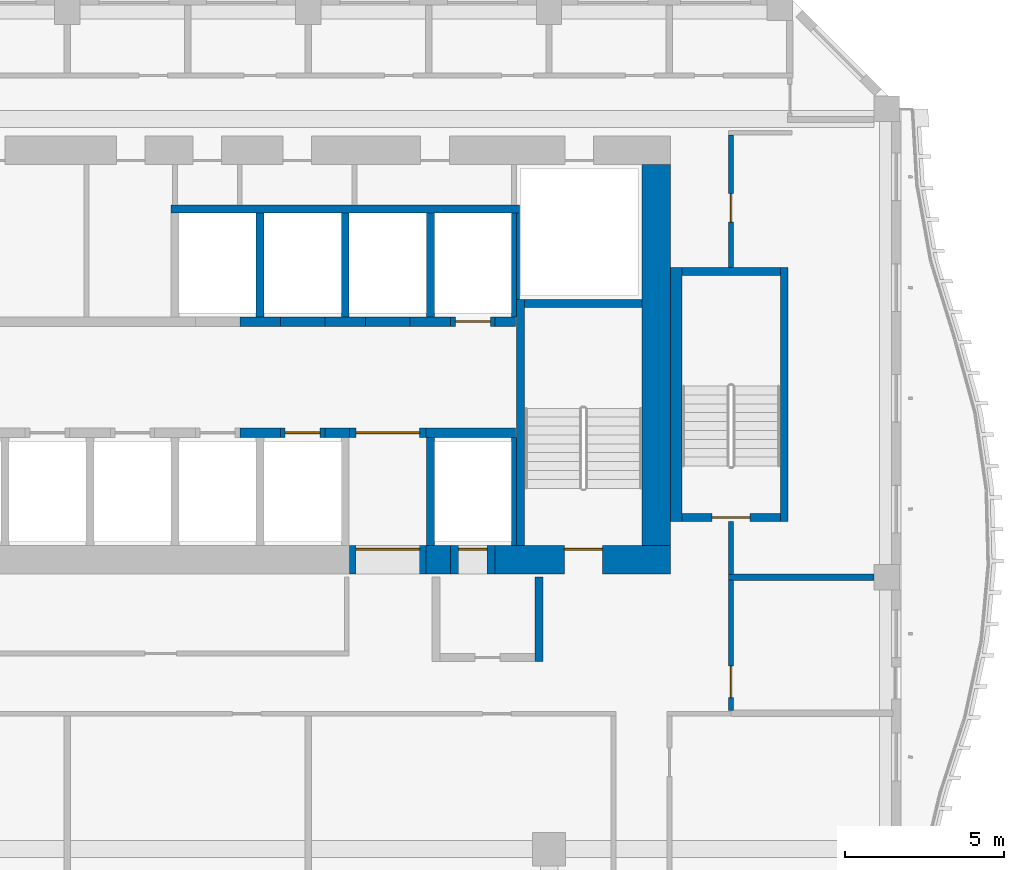
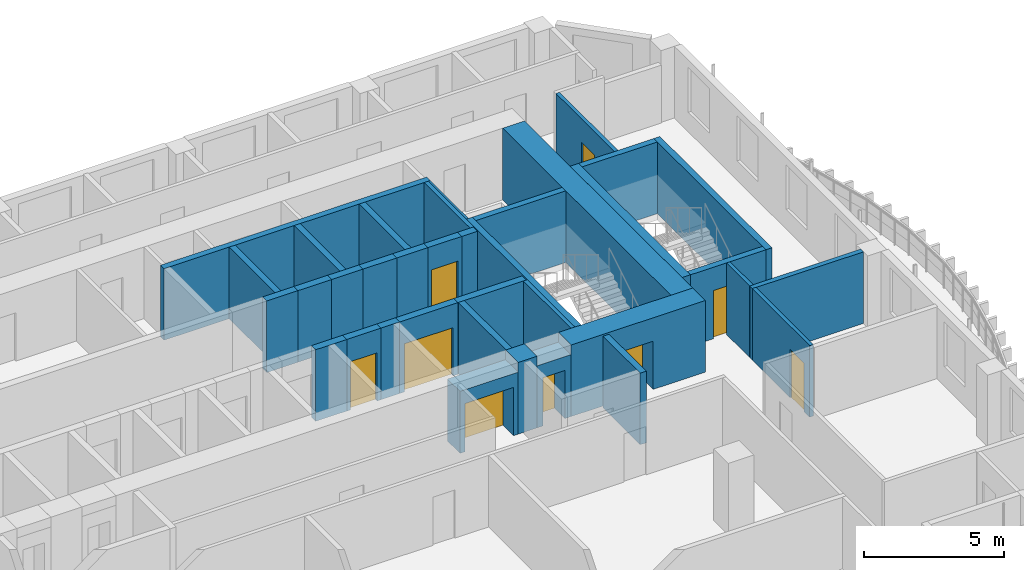
# One storey, part 10 of 22: 36 walls, 9 doors, 9 openings.
"""IFC4 building model written with IfcOpenShell, lengths in metres."""

from ifc_helpers import new_model, si_unit, direction, frame, frame_2d, origin, place, context, subcontext, project, spatial, rectangle, extrude, source, transform, mapped, material, layer, layer_set, type_object, element, fill, save


model = new_model("IFC4")

# Units and contexts
model_context = context("Model", 3, precision=1e-05, world=origin(), true_north=direction((0.0, 1.0)))
body_context = subcontext(model_context, "Body", "Model", "MODEL_VIEW")
ifc_project = project(units=[si_unit("LENGTHUNIT", "METRE"), si_unit("AREAUNIT", "SQUARE_METRE"), si_unit("VOLUMEUNIT", "CUBIC_METRE"), si_unit("PLANEANGLEUNIT", "RADIAN"), si_unit("MASSUNIT", "GRAM", prefix="KILO")], contexts=[model_context])

# Site, building, storey
site_placement = place(None, origin())
site = spatial("IfcSite", under=ifc_project, at=site_placement, CompositionType="ELEMENT")
building_placement = place(site_placement, origin())
building = spatial("IfcBuilding", under=site, at=building_placement, Name="Kilnfold Tower and Market Hall", CompositionType="ELEMENT")
storey_placement = place(building_placement, frame((0.0, 0.0, 171.89990234375)))
storey = spatial("IfcBuildingStorey", under=building, at=storey_placement, Name="L40", CompositionType="ELEMENT", Elevation=171.89990234375)

# Wall, opening, door
ifc_material_1 = material(Name="Gypsum board on steel studs", Category="steel")
ifc_layer_1 = layer(ifc_material_1, 0.14990234375)
ifc_layer_set_1 = layer_set([ifc_layer_1], Name="Gypsum board on steel studs")
wall_type_1 = type_object("IfcWallType", Name="WALL CORRIDOR 150", PredefinedType="PARTITIONING", material=ifc_layer_set_1)
wall_1_placement = place(storey_placement, frame((19.89990234375, 3.80908203125, 0.0), z_axis=(0.0, 0.0, 1.0), x_axis=(0.0, 1.0, 0.0)))
wall_1 = element("IfcWall", 1, at=wall_1_placement, inside=storey, type_object=wall_type_1, Name="Partition LY26.29", PredefinedType="PARTITIONING", context=body_context, shape_type="SweptSolid", body=[
    extrude(rectangle(XDim=4.100830078125, YDim=0.14990234375, at=frame_2d((2.05029296875, 0.0))), origin(), (0.0, 0.0, 1.0), 3.1201171875),
])
opening_1_placement = place(wall_1_placement, frame((0.39990234375, 0.0, 0.0)))
opening_1 = element("IfcOpeningElement", 2, at=opening_1_placement, cuts=wall_1, Name="Opening D4", PredefinedType="OPENING", context=body_context, shape_type="SweptSolid", body=[
    extrude(rectangle(XDim=1.0, YDim=2.10009765625, at=frame_2d((0.5, 1.050048828125))), frame((0.0, 0.0849609375, 0.0), z_axis=(0.0, -1.0, 0.0), x_axis=(1.0, 0.0, 0.0)), (0.0, 0.0, 1.0), 0.169921875),
])
ifc_material_2 = material(Name="Timber veneer door leaf in steel frame", Category="steel")
door_type_1 = type_object("IfcDoorType", Name="DOOR SERVICE 1000 X2100", OperationType="NOTDEFINED", PredefinedType="DOOR", material=ifc_material_2)
door_1_placement = place(opening_1_placement, origin())
door_1 = element("IfcDoor", 3, at=door_1_placement, inside=storey, type_object=door_type_1, Name="Door D4", OperationType="SINGLE_SWING_LEFT", OverallHeight=2.10009765625, OverallWidth=1.0, PredefinedType="DOOR", context=body_context, shape_type="SweptSolid", body=[
    extrude(rectangle(XDim=1.0, YDim=2.10009765625, at=frame_2d((0.5, 1.050048828125))), frame((0.0, 0.02490234375, 0.0), z_axis=(0.0, -1.0, 0.0), x_axis=(1.0, 0.0, 0.0)), (0.0, 0.0, 1.0), 0.050048828125),
])
fill(opening_1, door_1)

wall_2_placement = place(storey_placement, frame((19.89990234375, 17.75, 0.0), z_axis=(0.0, 0.0, 1.0), x_axis=(0.0, 1.0, 0.0)))
wall_2 = element("IfcWall", 4, at=wall_2_placement, inside=storey, type_object=wall_type_1, Name="Partition LY26.31", PredefinedType="PARTITIONING", context=body_context, shape_type="SweptSolid", body=[
    extrude(rectangle(XDim=4.175048828125, YDim=0.14990234375, at=frame_2d((2.08740234375, 0.0))), origin(), (0.0, 0.0, 1.0), 3.1201171875),
])
opening_2_placement = place(wall_2_placement, frame((1.431884765625, 0.0, 0.0)))
opening_2 = element("IfcOpeningElement", 5, at=opening_2_placement, cuts=wall_2, Name="Opening D2", PredefinedType="OPENING", context=body_context, shape_type="SweptSolid", body=[
    extrude(rectangle(XDim=0.89990234375, YDim=2.10009765625, at=frame_2d((0.449951171875, 1.050048828125))), frame((0.0, 0.0849609375, 0.0), z_axis=(0.0, -1.0, 0.0), x_axis=(1.0, 0.0, 0.0)), (0.0, 0.0, 1.0), 0.169921875),
])
ifc_material_3 = material(Name="Timber veneer door leaf in steel frame", Category="steel")
door_type_2 = type_object("IfcDoorType", Name="DOOR ROOM 900 X2100", OperationType="NOTDEFINED", PredefinedType="DOOR", material=ifc_material_3)
door_2_placement = place(opening_2_placement, origin())
door_2 = element("IfcDoor", 6, at=door_2_placement, inside=storey, type_object=door_type_2, Name="Door D2", OperationType="SINGLE_SWING_LEFT", OverallHeight=2.10009765625, OverallWidth=0.89990234375, PredefinedType="DOOR", context=body_context, shape_type="SweptSolid", body=[
    extrude(rectangle(XDim=0.89990234375, YDim=2.10009765625, at=frame_2d((0.449951171875, 1.050048828125))), frame((0.0, 0.02490234375, 0.0), z_axis=(0.0, -1.0, 0.0), x_axis=(1.0, 0.0, 0.0)), (0.0, 0.0, 1.0), 0.050048828125),
])
fill(opening_2, door_2)

# Walls
wall_3_placement = place(storey_placement, frame((19.89990234375, 8.090087890625, 0.0), z_axis=(0.0, 0.0, 1.0), x_axis=(0.0, 1.0, 0.0)))
element("IfcWall", 7, at=wall_3_placement, inside=storey, type_object=wall_type_1, Name="Partition LY26.32", PredefinedType="PARTITIONING", context=body_context, shape_type="SweptSolid", body=[
    extrude(rectangle(XDim=1.659912109375, YDim=0.14990234375, at=frame_2d((0.830078125, 0.0))), origin(), (0.0, 0.0, 1.0), 3.1201171875),
])
ifc_material_4 = material(Name="Gypsum board on steel studs", Category="steel")
ifc_layer_2 = layer(ifc_material_4, 0.199951171875)
ifc_layer_set_2 = layer_set([ifc_layer_2], Name="Gypsum board on steel studs")
wall_type_2 = type_object("IfcWallType", Name="WALL PARTY 200", PredefinedType="PARTITIONING", material=ifc_layer_set_2)
wall_4_placement = place(storey_placement, frame((19.826904296875, 8.0, 0.0), z_axis=(0.0, 0.0, 1.0), x_axis=(1.0, 0.0, 0.0)))
element("IfcWall", 8, at=wall_4_placement, inside=storey, type_object=wall_type_2, Name="Partition LY26.118", PredefinedType="PARTITIONING", context=body_context, shape_type="SweptSolid", body=[
    extrude(rectangle(XDim=4.572998046875, YDim=0.199951171875, at=frame_2d((2.28662109375, 0.0))), origin(), (0.0, 0.0, 1.0), 3.1201171875),
])
ifc_material_5 = material(Name="Concrete C70", Category="concrete")
ifc_layer_3 = layer(ifc_material_5, 0.89990234375)
ifc_layer_set_3 = layer_set([ifc_layer_3], Name="Concrete C70")
wall_type_3 = type_object("IfcWallType", Name="CORE WALL 900 C70", PredefinedType="SHEAR", material=ifc_layer_set_3)
shared_shape_1 = source(origin(), body_context, "Body", "SweptSolid", [
    extrude(rectangle(XDim=0.780029296875, YDim=0.89990234375, at=frame_2d((0.39013671875, 0.0))), origin(), (0.0, 0.0, 1.0), 3.1201171875),
])
wall_5_placement = place(storey_placement, frame((10.2900390625, 8.550048828125, 0.0), z_axis=(0.0, 0.0, 1.0), x_axis=(1.0, 0.0, 0.0)))
element("IfcWall", 9, at=wall_5_placement, inside=storey, type_object=wall_type_3, Name="Core outer wall south", PredefinedType="SHEAR", context=body_context, shape_type="MappedRepresentation", body=[
    mapped(shared_shape_1, transform((0.0, 0.0, 0.0))),
])

# Wall, opening, door
shared_shape_2 = source(origin(), body_context, "Body", "SweptSolid", [
    extrude(rectangle(XDim=5.530029296875, YDim=0.89990234375, at=frame_2d((2.76513671875, 0.0))), origin(), (0.0, 0.0, 1.0), 3.1201171875),
])
wall_6_placement = place(storey_placement, frame((12.469970703125, 8.550048828125, 0.0), z_axis=(0.0, 0.0, 1.0), x_axis=(1.0, 0.0, 0.0)))
wall_6 = element("IfcWall", 10, at=wall_6_placement, inside=storey, type_object=wall_type_3, Name="Core outer wall south", PredefinedType="SHEAR", context=body_context, shape_type="MappedRepresentation", body=[
    mapped(shared_shape_2, transform((0.0, 0.0, 0.0))),
])
opening_3_placement = place(wall_6_placement, frame((2.179931640625, 0.0, 0.0)))
opening_3 = element("IfcOpeningElement", 11, at=opening_3_placement, cuts=wall_6, Name="Opening SD1", PredefinedType="OPENING", context=body_context, shape_type="SweptSolid", body=[
    extrude(rectangle(XDim=1.199951171875, YDim=2.10009765625, at=frame_2d((0.60009765625, 1.050048828125))), frame((0.0, 0.4599609375, 0.0), z_axis=(0.0, -1.0, 0.0), x_axis=(1.0, 0.0, 0.0)), (0.0, 0.0, 1.0), 0.919921875),
])
ifc_material_6 = material(Name="Steel door set with fire-resisting leaf", Category="steel")
door_type_3 = type_object("IfcDoorType", Name="STAIR FLOOR DOOR 1200X2100", OperationType="NOTDEFINED", PredefinedType="DOOR", material=ifc_material_6)
door_3_placement = place(opening_3_placement, origin())
door_3 = element("IfcDoor", 12, at=door_3_placement, inside=storey, type_object=door_type_3, Name="Exit stair ST2 door", OperationType="DOUBLE_DOOR_SINGLE_SWING", OverallHeight=2.10009765625, OverallWidth=1.199951171875, PredefinedType="DOOR", context=body_context, shape_type="SweptSolid", body=[
    extrude(rectangle(XDim=1.199951171875, YDim=2.10009765625, at=frame_2d((0.60009765625, 1.050048828125))), frame((0.0, 0.35498046875, 0.0), z_axis=(0.0, -1.0, 0.0), x_axis=(1.0, 0.0, 0.0)), (0.0, 0.0, 1.0), 0.050048828125),
])
fill(opening_3, door_3)

# Walls
shared_shape_3 = source(origin(), body_context, "Body", "SweptSolid", [
    extrude(rectangle(XDim=12.0, YDim=0.89990234375, at=frame_2d((6.0, 0.0))), origin(), (0.0, 0.0, 1.0), 3.1201171875),
])
wall_7_placement = place(storey_placement, frame((17.550048828125, 9.0, 0.0), z_axis=(0.0, 0.0, 1.0), x_axis=(0.0, 1.0, 0.0)))
element("IfcWall", 13, at=wall_7_placement, inside=storey, type_object=wall_type_3, Name="Core outer wall east", PredefinedType="SHEAR", context=body_context, shape_type="MappedRepresentation", body=[
    mapped(shared_shape_3, transform((0.0, 0.0, 0.0))),
])
ifc_material_7 = material(Name="Concrete C70", Category="concrete")
ifc_layer_4 = layer(ifc_material_7, 0.25)
ifc_layer_set_4 = layer_set([ifc_layer_4], Name="Concrete C70")
wall_type_4 = type_object("IfcWallType", Name="CORE WALL 250 C70", PredefinedType="SHEAR", material=ifc_layer_set_4)
shared_shape_4 = source(origin(), body_context, "Body", "SweptSolid", [
    extrude(rectangle(XDim=7.75, YDim=0.25, at=frame_2d((3.875, 0.0))), origin(), (0.0, 0.0, 1.0), 3.1201171875),
])
wall_8_placement = place(storey_placement, frame((13.27490234375, 9.0, 0.0), z_axis=(0.0, 0.0, 1.0), x_axis=(0.0, 1.0, 0.0)))
element("IfcWall", 14, at=wall_8_placement, inside=storey, type_object=wall_type_4, Name="Stair enclosure ST2", PredefinedType="SHEAR", context=body_context, shape_type="MappedRepresentation", body=[
    mapped(shared_shape_4, transform((0.0, 0.0, 0.0))),
])
shared_shape_5 = source(origin(), body_context, "Body", "SweptSolid", [
    extrude(rectangle(XDim=3.7001953125, YDim=0.25, at=frame_2d((1.85009765625, 0.0))), origin(), (0.0, 0.0, 1.0), 3.1201171875),
])
wall_9_placement = place(storey_placement, frame((13.39990234375, 16.625, 0.0), z_axis=(0.0, 0.0, 1.0), x_axis=(1.0, 0.0, 0.0)))
element("IfcWall", 15, at=wall_9_placement, inside=storey, type_object=wall_type_4, Name="Stair enclosure ST2", PredefinedType="SHEAR", context=body_context, shape_type="MappedRepresentation", body=[
    mapped(shared_shape_5, transform((0.0, 0.0, 0.0))),
])
shared_shape_6 = source(origin(), body_context, "Body", "SweptSolid", [
    extrude(rectangle(XDim=8.0, YDim=0.25, at=frame_2d((4.0, 0.0))), origin(), (0.0, 0.0, 1.0), 3.1201171875),
])
wall_10_placement = place(storey_placement, frame((21.574951171875, 9.75, 0.0), z_axis=(0.0, 0.0, 1.0), x_axis=(0.0, 1.0, 0.0)))
element("IfcWall", 16, at=wall_10_placement, inside=storey, type_object=wall_type_4, Name="Stair enclosure ST5", PredefinedType="SHEAR", context=body_context, shape_type="MappedRepresentation", body=[
    mapped(shared_shape_6, transform((0.0, 0.0, 0.0))),
])
ifc_material_8 = material(Name="Concrete C70", Category="concrete")
ifc_layer_5 = layer(ifc_material_8, 0.35009765625)
ifc_layer_set_5 = layer_set([ifc_layer_5], Name="Concrete C70")
wall_type_5 = type_object("IfcWallType", Name="CORE WALL 350 C70", PredefinedType="SHEAR", material=ifc_layer_set_5)
shared_shape_7 = source(origin(), body_context, "Body", "SweptSolid", [
    extrude(rectangle(XDim=8.0, YDim=0.35009765625, at=frame_2d((4.0, 0.0))), origin(), (0.0, 0.0, 1.0), 3.1201171875),
])
wall_11_placement = place(storey_placement, frame((18.175048828125, 9.75, 0.0), z_axis=(0.0, 0.0, 1.0), x_axis=(0.0, 1.0, 0.0)))
element("IfcWall", 17, at=wall_11_placement, inside=storey, type_object=wall_type_5, Name="Stair enclosure ST5", PredefinedType="SHEAR", context=body_context, shape_type="MappedRepresentation", body=[
    mapped(shared_shape_7, transform((0.0, 0.0, 0.0))),
])

# Wall, opening, door
shared_shape_8 = source(origin(), body_context, "Body", "SweptSolid", [
    extrude(rectangle(XDim=3.099853515625, YDim=0.25, at=frame_2d((1.5498046875, 0.0))), origin(), (0.0, 0.0, 1.0), 3.1201171875),
])
wall_12_placement = place(storey_placement, frame((18.35009765625, 9.875, 0.0), z_axis=(0.0, 0.0, 1.0), x_axis=(1.0, 0.0, 0.0)))
wall_12 = element("IfcWall", 18, at=wall_12_placement, inside=storey, type_object=wall_type_4, Name="Stair enclosure ST5", PredefinedType="SHEAR", context=body_context, shape_type="MappedRepresentation", body=[
    mapped(shared_shape_8, transform((0.0, 0.0, 0.0))),
])
opening_4_placement = place(wall_12_placement, frame((0.949951171875, 0.0, 0.0)))
opening_4 = element("IfcOpeningElement", 19, at=opening_4_placement, cuts=wall_12, Name="Opening SD1", PredefinedType="OPENING", context=body_context, shape_type="SweptSolid", body=[
    extrude(rectangle(XDim=1.199951171875, YDim=2.10009765625, at=frame_2d((0.60009765625, 1.050048828125))), frame((0.0, 0.135009765625, 0.0), z_axis=(0.0, -1.0, 0.0), x_axis=(1.0, 0.0, 0.0)), (0.0, 0.0, 1.0), 0.27001953125),
])
door_4_placement = place(opening_4_placement, origin())
door_4 = element("IfcDoor", 20, at=door_4_placement, inside=storey, type_object=door_type_3, Name="Exit stair ST5 door", OperationType="DOUBLE_DOOR_SINGLE_SWING", OverallHeight=2.10009765625, OverallWidth=1.199951171875, PredefinedType="DOOR", context=body_context, shape_type="SweptSolid", body=[
    extrude(rectangle(XDim=1.199951171875, YDim=2.10009765625, at=frame_2d((0.60009765625, 1.050048828125))), frame((0.0, 0.02490234375, 0.0), z_axis=(0.0, -1.0, 0.0), x_axis=(1.0, 0.0, 0.0)), (0.0, 0.0, 1.0), 0.050048828125),
])
fill(opening_4, door_4)

# Walls
wall_13_placement = place(storey_placement, frame((18.35009765625, 17.625, 0.0), z_axis=(0.0, 0.0, 1.0), x_axis=(1.0, 0.0, 0.0)))
element("IfcWall", 21, at=wall_13_placement, inside=storey, type_object=wall_type_4, Name="Stair enclosure ST5", PredefinedType="SHEAR", context=body_context, shape_type="MappedRepresentation", body=[
    mapped(shared_shape_8, transform((0.0, 0.0, 0.0))),
])
ifc_material_9 = material(Name="Concrete C70", Category="concrete")
ifc_layer_6 = layer(ifc_material_9, 0.300048828125)
ifc_layer_set_6 = layer_set([ifc_layer_6], Name="Concrete C70")
wall_type_6 = type_object("IfcWallType", Name="CORE WALL 300 C70", PredefinedType="SHEAR", material=ifc_layer_set_6)
shared_shape_9 = source(origin(), body_context, "Body", "SweptSolid", [
    extrude(rectangle(XDim=1.280029296875, YDim=0.300048828125, at=frame_2d((0.64013671875, 0.0))), origin(), (0.0, 0.0, 1.0), 3.1201171875),
])
for number, where, z_axis, x_axis, name in (
    (22, (4.429931640625, 12.550048828125, 0.0), (0.0, 0.0, 1.0), (1.0, 0.0, 0.0), "Core spine wall"),
    (23, (4.429931640625, 16.050048828125, 0.0), (0.0, 0.0, 1.0), (1.0, 0.0, 0.0), "Core spine wall"),
    (24, (9.7900390625, 16.050048828125, 0.0), (0.0, 0.0, 1.0), (1.0, 0.0, 0.0), "Core spine wall"),
):
    element("IfcWall", number, at=place(storey_placement, frame(where, z_axis=z_axis, x_axis=x_axis)), inside=storey, type_object=wall_type_6, Name=name, PredefinedType="SHEAR", context=body_context, shape_type="MappedRepresentation", body=[
        mapped(shared_shape_9, transform((0.0, 0.0, 0.0))),
    ])
shared_shape_10 = source(origin(), body_context, "Body", "SweptSolid", [
    extrude(rectangle(XDim=0.77978515625, YDim=0.300048828125, at=frame_2d((0.389892578125, 0.0))), origin(), (0.0, 0.0, 1.0), 3.1201171875),
])
wall_14_placement = place(storey_placement, frame((7.110107421875, 12.550048828125, 0.0), z_axis=(0.0, 0.0, 1.0), x_axis=(1.0, 0.0, 0.0)))
element("IfcWall", 25, at=wall_14_placement, inside=storey, type_object=wall_type_6, Name="Core spine wall", PredefinedType="SHEAR", context=body_context, shape_type="MappedRepresentation", body=[
    mapped(shared_shape_10, transform((0.0, 0.0, 0.0))),
])
shared_shape_11 = source(origin(), body_context, "Body", "SweptSolid", [
    extrude(rectangle(XDim=2.820068359375, YDim=0.300048828125, at=frame_2d((1.41015625, 0.0))), origin(), (0.0, 0.0, 1.0), 3.1201171875),
])
wall_15_placement = place(storey_placement, frame((10.2900390625, 12.550048828125, 0.0), z_axis=(0.0, 0.0, 1.0), x_axis=(1.0, 0.0, 0.0)))
element("IfcWall", 26, at=wall_15_placement, inside=storey, type_object=wall_type_6, Name="Core spine wall", PredefinedType="SHEAR", context=body_context, shape_type="MappedRepresentation", body=[
    mapped(shared_shape_11, transform((0.0, 0.0, 0.0))),
])
shared_shape_12 = source(origin(), body_context, "Body", "SweptSolid", [
    extrude(rectangle(XDim=1.27978515625, YDim=0.300048828125, at=frame_2d((0.639892578125, 0.0))), origin(), (0.0, 0.0, 1.0), 3.1201171875),
])
wall_16_placement = place(storey_placement, frame((7.110107421875, 16.050048828125, 0.0), z_axis=(0.0, 0.0, 1.0), x_axis=(1.0, 0.0, 0.0)))
element("IfcWall", 27, at=wall_16_placement, inside=storey, type_object=wall_type_6, Name="Core spine wall", PredefinedType="SHEAR", context=body_context, shape_type="MappedRepresentation", body=[
    mapped(shared_shape_12, transform((0.0, 0.0, 0.0))),
])
shared_shape_13 = source(origin(), body_context, "Body", "SweptSolid", [
    extrude(rectangle(XDim=0.64013671875, YDim=0.300048828125, at=frame_2d((0.320068359375, 0.0))), origin(), (0.0, 0.0, 1.0), 3.1201171875),
])
wall_17_placement = place(storey_placement, frame((12.469970703125, 16.050048828125, 0.0), z_axis=(0.0, 0.0, 1.0), x_axis=(1.0, 0.0, 0.0)))
element("IfcWall", 28, at=wall_17_placement, inside=storey, type_object=wall_type_6, Name="Core spine wall", PredefinedType="SHEAR", context=body_context, shape_type="MappedRepresentation", body=[
    mapped(shared_shape_13, transform((0.0, 0.0, 0.0))),
])

# Wall, opening, door
ifc_material_10 = material(Name="Gypsum shaft wall system")
ifc_layer_7 = layer(ifc_material_10, 0.300048828125)
ifc_layer_set_7 = layer_set([ifc_layer_7], Name="Gypsum shaft wall system")
wall_type_7 = type_object("IfcWallType", Name="SHAFT WALL 300", PredefinedType="PARTITIONING", material=ifc_layer_set_7)
shared_shape_14 = source(origin(), body_context, "Body", "SweptSolid", [
    extrude(rectangle(XDim=1.39990234375, YDim=0.300048828125, at=frame_2d((0.699951171875, 0.0))), origin(), (0.0, 0.0, 1.0), 3.1201171875),
])
wall_18_placement = place(storey_placement, frame((11.070068359375, 16.050048828125, 0.0), z_axis=(0.0, 0.0, 1.0), x_axis=(1.0, 0.0, 0.0)))
wall_18 = element("IfcWall", 29, at=wall_18_placement, inside=storey, type_object=wall_type_7, Name="Lift shaft front wall", PredefinedType="PARTITIONING", context=body_context, shape_type="MappedRepresentation", body=[
    mapped(shared_shape_14, transform((0.0, 0.0, 0.0))),
])
opening_5_placement = place(wall_18_placement, frame((0.14990234375, 0.0, 0.0)))
opening_5 = element("IfcOpeningElement", 30, at=opening_5_placement, cuts=wall_18, Name="Opening LD2", PredefinedType="OPENING", context=body_context, shape_type="SweptSolid", body=[
    extrude(rectangle(XDim=1.10009765625, YDim=2.10009765625, at=frame_2d((0.550048828125, 1.050048828125))), frame((0.0, 0.16015625, 0.0), z_axis=(0.0, -1.0, 0.0), x_axis=(1.0, 0.0, 0.0)), (0.0, 0.0, 1.0), 0.320068359375),
])
ifc_material_11 = material(Name="Steel door set with fire-resisting leaf", Category="steel")
door_type_4 = type_object("IfcDoorType", Name="LANDING DOOR 1100X2100", OperationType="NOTDEFINED", PredefinedType="DOOR", material=ifc_material_11)
door_5_placement = place(opening_5_placement, origin())
door_5 = element("IfcDoor", 31, at=door_5_placement, inside=storey, type_object=door_type_4, Name="Landing door MR6", OperationType="DOUBLE_DOOR_SLIDING", OverallHeight=2.10009765625, OverallWidth=1.10009765625, PredefinedType="DOOR", context=body_context, shape_type="SweptSolid", body=[
    extrude(rectangle(XDim=1.10009765625, YDim=2.10009765625, at=frame_2d((0.550048828125, 1.050048828125))), frame((0.0, 0.02490234375, 0.0), z_axis=(0.0, -1.0, 0.0), x_axis=(1.0, 0.0, 0.0)), (0.0, 0.0, 1.0), 0.050048828125),
])
fill(opening_5, door_5)

shared_shape_15 = source(origin(), body_context, "Body", "SweptSolid", [
    extrude(rectangle(XDim=1.400146484375, YDim=0.300048828125, at=frame_2d((0.7001953125, 0.0))), origin(), (0.0, 0.0, 1.0), 3.1201171875),
])
wall_19_placement = place(storey_placement, frame((5.7099609375, 12.550048828125, 0.0), z_axis=(0.0, 0.0, 1.0), x_axis=(1.0, 0.0, 0.0)))
wall_19 = element("IfcWall", 32, at=wall_19_placement, inside=storey, type_object=wall_type_7, Name="Lift shaft front wall", PredefinedType="PARTITIONING", context=body_context, shape_type="MappedRepresentation", body=[
    mapped(shared_shape_15, transform((0.0, 0.0, 0.0))),
])
opening_6_placement = place(wall_19_placement, frame((0.14990234375, 0.0, 0.0)))
opening_6 = element("IfcOpeningElement", 33, at=opening_6_placement, cuts=wall_19, Name="Opening LD2", PredefinedType="OPENING", context=body_context, shape_type="SweptSolid", body=[
    extrude(rectangle(XDim=1.10009765625, YDim=2.10009765625, at=frame_2d((0.550048828125, 1.050048828125))), frame((0.0, 0.16015625, 0.0), z_axis=(0.0, -1.0, 0.0), x_axis=(1.0, 0.0, 0.0)), (0.0, 0.0, 1.0), 0.320068359375),
])
door_6_placement = place(opening_6_placement, origin())
door_6 = element("IfcDoor", 34, at=door_6_placement, inside=storey, type_object=door_type_4, Name="Landing door MR5", OperationType="DOUBLE_DOOR_SLIDING", OverallHeight=2.10009765625, OverallWidth=1.10009765625, PredefinedType="DOOR", context=body_context, shape_type="SweptSolid", body=[
    extrude(rectangle(XDim=1.10009765625, YDim=2.10009765625, at=frame_2d((0.550048828125, 1.050048828125))), frame((0.0, 0.02490234375, 0.0), z_axis=(0.0, -1.0, 0.0), x_axis=(1.0, 0.0, 0.0)), (0.0, 0.0, 1.0), 0.050048828125),
])
fill(opening_6, door_6)

# Walls
for number, where, z_axis, x_axis, name in (
    (35, (5.7099609375, 16.050048828125, 0.0), (0.0, 0.0, 1.0), (1.0, 0.0, 0.0), "Lift shaft front wall"),
    (36, (8.389892578125, 16.050048828125, 0.0), (0.0, 0.0, 1.0), (1.0, 0.0, 0.0), "Lift shaft front wall"),
):
    element("IfcWall", number, at=place(storey_placement, frame(where, z_axis=z_axis, x_axis=x_axis)), inside=storey, type_object=wall_type_7, Name=name, PredefinedType="PARTITIONING", context=body_context, shape_type="MappedRepresentation", body=[
        mapped(shared_shape_15, transform((0.0, 0.0, 0.0))),
    ])

# Wall, opening, door
shared_shape_16 = source(origin(), body_context, "Body", "SweptSolid", [
    extrude(rectangle(XDim=2.400146484375, YDim=0.300048828125, at=frame_2d((1.2001953125, 0.0))), origin(), (0.0, 0.0, 1.0), 3.1201171875),
])
wall_20_placement = place(storey_placement, frame((7.889892578125, 12.550048828125, 0.0), z_axis=(0.0, 0.0, 1.0), x_axis=(1.0, 0.0, 0.0)))
wall_20 = element("IfcWall", 37, at=wall_20_placement, inside=storey, type_object=wall_type_7, Name="Lift shaft front wall", PredefinedType="PARTITIONING", context=body_context, shape_type="MappedRepresentation", body=[
    mapped(shared_shape_16, transform((0.0, 0.0, 0.0))),
])
opening_7_placement = place(wall_20_placement, frame((0.199951171875, 0.0, 0.0)))
opening_7 = element("IfcOpeningElement", 38, at=opening_7_placement, cuts=wall_20, Name="Opening VD2", PredefinedType="OPENING", context=body_context, shape_type="SweptSolid", body=[
    extrude(rectangle(XDim=2.0, YDim=2.10009765625, at=frame_2d((1.0, 1.050048828125))), frame((0.0, 0.16015625, 0.0), z_axis=(0.0, -1.0, 0.0), x_axis=(1.0, 0.0, 0.0)), (0.0, 0.0, 1.0), 0.320068359375),
])
ifc_material_12 = material(Name="Steel door set with fire-resisting leaf", Category="steel")
door_type_5 = type_object("IfcDoorType", Name="LIFT LOBBY ENTRANCE DOOR 2000X2100", OperationType="NOTDEFINED", PredefinedType="DOOR", material=ifc_material_12)
door_7_placement = place(opening_7_placement, origin())
door_7 = element("IfcDoor", 39, at=door_7_placement, inside=storey, type_object=door_type_5, Name="Lift lobby entrance door", OperationType="DOUBLE_DOOR_SINGLE_SWING", OverallHeight=2.10009765625, OverallWidth=2.0, PredefinedType="DOOR", context=body_context, shape_type="SweptSolid", body=[
    extrude(rectangle(XDim=2.0, YDim=2.10009765625, at=frame_2d((1.0, 1.050048828125))), frame((0.0, 0.02490234375, 0.0), z_axis=(0.0, -1.0, 0.0), x_axis=(1.0, 0.0, 0.0)), (0.0, 0.0, 1.0), 0.050048828125),
])
fill(opening_7, door_7)

# Walls
ifc_material_13 = material(Name="Gypsum shaft wall system")
ifc_layer_8 = layer(ifc_material_13, 0.25)
ifc_layer_set_8 = layer_set([ifc_layer_8], Name="Gypsum shaft wall system")
wall_type_8 = type_object("IfcWallType", Name="LOBBY WALL 250", PredefinedType="PARTITIONING", material=ifc_layer_set_8)
shared_shape_17 = source(origin(), body_context, "Body", "SweptSolid", [
    extrude(rectangle(XDim=2.64990234375, YDim=0.25, at=frame_2d((1.324951171875, 0.0))), origin(), (0.0, 0.0, 1.0), 3.1201171875),
])
wall_21_placement = place(storey_placement, frame((13.85498046875, 5.35009765625, 0.0), z_axis=(0.0, 0.0, 1.0), x_axis=(0.0, 1.0, 0.0)))
element("IfcWall", 40, at=wall_21_placement, inside=storey, type_object=wall_type_8, Name="Firefighting lobby wall", PredefinedType="PARTITIONING", context=body_context, shape_type="MappedRepresentation", body=[
    mapped(shared_shape_17, transform((0.0, 0.0, 0.0))),
])
ifc_material_14 = material(Name="Gypsum shaft wall system")
ifc_layer_9 = layer(ifc_material_14, 0.1650390625)
ifc_layer_set_9 = layer_set([ifc_layer_9], Name="Gypsum shaft wall system")
wall_type_9 = type_object("IfcWallType", Name="SHAFT WALL 165", PredefinedType="PARTITIONING", material=ifc_layer_set_9)
shared_shape_18 = source(origin(), body_context, "Body", "SweptSolid", [
    extrude(rectangle(XDim=3.275146484375, YDim=0.1650390625, at=frame_2d((1.6376953125, 0.0))), origin(), (0.0, 0.0, 1.0), 3.1201171875),
])
wall_22_placement = place(storey_placement, frame((13.0673828125, 16.199951171875, 0.0), z_axis=(0.0, 0.0, 1.0), x_axis=(0.0, 1.0, 0.0)))
element("IfcWall", 41, at=wall_22_placement, inside=storey, type_object=wall_type_9, Name="Lift shaft wall", PredefinedType="PARTITIONING", context=body_context, shape_type="MappedRepresentation", body=[
    mapped(shared_shape_18, transform((0.0, 0.0, 0.0))),
])
ifc_material_15 = material(Name="Gypsum shaft wall system")
ifc_layer_10 = layer(ifc_material_15, 0.25)
ifc_layer_set_10 = layer_set([ifc_layer_10], Name="Gypsum shaft wall system")
wall_type_10 = type_object("IfcWallType", Name="SHAFT WALL 250", PredefinedType="PARTITIONING", material=ifc_layer_set_10)
shared_shape_19 = source(origin(), body_context, "Body", "SweptSolid", [
    extrude(rectangle(XDim=3.275146484375, YDim=0.25, at=frame_2d((1.6376953125, 0.0))), origin(), (0.0, 0.0, 1.0), 3.1201171875),
])
for number, where, z_axis, x_axis, name in (
    (42, (10.429931640625, 16.199951171875, 0.0), (0.0, 0.0, 1.0), (0.0, 1.0, 0.0), "Lift shaft wall"),
    (43, (5.070068359375, 16.199951171875, 0.0), (0.0, 0.0, 1.0), (0.0, 1.0, 0.0), "Lift shaft wall"),
    (44, (7.75, 16.199951171875, 0.0), (0.0, 0.0, 1.0), (0.0, 1.0, 0.0), "Lift shaft wall"),
):
    element("IfcWall", number, at=place(storey_placement, frame(where, z_axis=z_axis, x_axis=x_axis)), inside=storey, type_object=wall_type_10, Name=name, PredefinedType="PARTITIONING", context=body_context, shape_type="MappedRepresentation", body=[
        mapped(shared_shape_19, transform((0.0, 0.0, 0.0))),
    ])
ifc_material_16 = material(Name="Gypsum shaft wall system")
ifc_layer_11 = layer(ifc_material_16, 0.0849609375)
ifc_layer_set_11 = layer_set([ifc_layer_11], Name="Gypsum shaft wall system")
wall_type_11 = type_object("IfcWallType", Name="SHAFT WALL 85", PredefinedType="PARTITIONING", material=ifc_layer_set_11)
shared_shape_20 = source(origin(), body_context, "Body", "SweptSolid", [
    extrude(rectangle(XDim=2.72509765625, YDim=0.0849609375, at=frame_2d((1.362548828125, 0.0))), origin(), (0.0, 0.0, 1.0), 3.1201171875),
])
wall_23_placement = place(storey_placement, frame((13.1923828125, 16.75, 0.0), z_axis=(0.0, 0.0, 1.0), x_axis=(0.0, 1.0, 0.0)))
element("IfcWall", 45, at=wall_23_placement, inside=storey, type_object=wall_type_11, Name="Lift shaft wall", PredefinedType="PARTITIONING", context=body_context, shape_type="MappedRepresentation", body=[
    mapped(shared_shape_20, transform((0.0, 0.0, 0.0))),
])
shared_shape_21 = source(origin(), body_context, "Body", "SweptSolid", [
    extrude(rectangle(XDim=3.39990234375, YDim=0.25, at=frame_2d((1.699951171875, 0.0))), origin(), (0.0, 0.0, 1.0), 3.1201171875),
])
wall_24_placement = place(storey_placement, frame((10.429931640625, 9.0, 0.0), z_axis=(0.0, 0.0, 1.0), x_axis=(0.0, 1.0, 0.0)))
element("IfcWall", 46, at=wall_24_placement, inside=storey, type_object=wall_type_10, Name="Lift shaft wall", PredefinedType="PARTITIONING", context=body_context, shape_type="MappedRepresentation", body=[
    mapped(shared_shape_21, transform((0.0, 0.0, 0.0))),
])
shared_shape_22 = source(origin(), body_context, "Body", "SweptSolid", [
    extrude(rectangle(XDim=3.39990234375, YDim=0.1650390625, at=frame_2d((1.699951171875, 0.0))), origin(), (0.0, 0.0, 1.0), 3.1201171875),
])
wall_25_placement = place(storey_placement, frame((13.0673828125, 9.0, 0.0), z_axis=(0.0, 0.0, 1.0), x_axis=(0.0, 1.0, 0.0)))
element("IfcWall", 47, at=wall_25_placement, inside=storey, type_object=wall_type_9, Name="Lift shaft wall", PredefinedType="PARTITIONING", context=body_context, shape_type="MappedRepresentation", body=[
    mapped(shared_shape_22, transform((0.0, 0.0, 0.0))),
])

# Wall, opening, door
ifc_material_17 = material(Name="Gypsum shaft wall system")
ifc_layer_12 = layer(ifc_material_17, 0.89990234375)
ifc_layer_set_12 = layer_set([ifc_layer_12], Name="Gypsum shaft wall system")
wall_type_12 = type_object("IfcWallType", Name="LOBBY WALL 900", PredefinedType="PARTITIONING", material=ifc_layer_set_12)
shared_shape_23 = source(origin(), body_context, "Body", "SweptSolid", [
    extrude(rectangle(XDim=1.39990234375, YDim=0.89990234375, at=frame_2d((0.699951171875, 0.0))), origin(), (0.0, 0.0, 1.0), 2.7001953125),
])
wall_26_placement = place(storey_placement, frame((11.070068359375, 8.550048828125, 0.0), z_axis=(0.0, 0.0, 1.0), x_axis=(1.0, 0.0, 0.0)))
wall_26 = element("IfcWall", 48, at=wall_26_placement, inside=storey, type_object=wall_type_12, Name="Core wall infill", PredefinedType="PARTITIONING", context=body_context, shape_type="MappedRepresentation", body=[
    mapped(shared_shape_23, transform((0.0, 0.0, 0.0))),
])
opening_8_placement = place(wall_26_placement, frame((0.25, 0.0, 0.0)))
opening_8 = element("IfcOpeningElement", 49, at=opening_8_placement, cuts=wall_26, Name="Opening LD1", PredefinedType="OPENING", context=body_context, shape_type="SweptSolid", body=[
    extrude(rectangle(XDim=0.89990234375, YDim=2.10009765625, at=frame_2d((0.449951171875, 1.050048828125))), frame((0.0, 0.4599609375, 0.0), z_axis=(0.0, -1.0, 0.0), x_axis=(1.0, 0.0, 0.0)), (0.0, 0.0, 1.0), 0.919921875),
])
ifc_material_18 = material(Name="Steel door set with fire-resisting leaf", Category="steel")
door_type_6 = type_object("IfcDoorType", Name="FIREFIGHTING LANDING DOOR 900X2100", OperationType="NOTDEFINED", PredefinedType="DOOR", material=ifc_material_18)
door_8_placement = place(opening_8_placement, origin())
door_8 = element("IfcDoor", 50, at=door_8_placement, inside=storey, type_object=door_type_6, Name="Landing door FF3", OperationType="SLIDING_TO_LEFT", OverallHeight=2.10009765625, OverallWidth=0.89990234375, PredefinedType="DOOR", context=body_context, shape_type="SweptSolid", body=[
    extrude(rectangle(XDim=0.89990234375, YDim=2.10009765625, at=frame_2d((0.449951171875, 1.050048828125))), frame((0.0, 0.35498046875, 0.0), z_axis=(0.0, -1.0, 0.0), x_axis=(1.0, 0.0, 0.0)), (0.0, 0.0, 1.0), 0.050048828125),
])
fill(opening_8, door_8)

shared_shape_24 = source(origin(), body_context, "Body", "SweptSolid", [
    extrude(rectangle(XDim=2.400146484375, YDim=0.89990234375, at=frame_2d((1.2001953125, 0.0))), origin(), (0.0, 0.0, 1.0), 2.7001953125),
])
wall_27_placement = place(storey_placement, frame((7.889892578125, 8.550048828125, 0.0), z_axis=(0.0, 0.0, 1.0), x_axis=(1.0, 0.0, 0.0)))
wall_27 = element("IfcWall", 51, at=wall_27_placement, inside=storey, type_object=wall_type_12, Name="Core wall infill", PredefinedType="PARTITIONING", context=body_context, shape_type="MappedRepresentation", body=[
    mapped(shared_shape_24, transform((0.0, 0.0, 0.0))),
])
opening_9_placement = place(wall_27_placement, frame((0.199951171875, 0.0, 0.0)))
opening_9 = element("IfcOpeningElement", 52, at=opening_9_placement, cuts=wall_27, Name="Opening VD2", PredefinedType="OPENING", context=body_context, shape_type="SweptSolid", body=[
    extrude(rectangle(XDim=2.0, YDim=2.10009765625, at=frame_2d((1.0, 1.050048828125))), frame((0.0, 0.4599609375, 0.0), z_axis=(0.0, -1.0, 0.0), x_axis=(1.0, 0.0, 0.0)), (0.0, 0.0, 1.0), 0.919921875),
])
door_9_placement = place(opening_9_placement, origin())
door_9 = element("IfcDoor", 53, at=door_9_placement, inside=storey, type_object=door_type_5, Name="Lift lobby entrance door", OperationType="DOUBLE_DOOR_SINGLE_SWING", OverallHeight=2.10009765625, OverallWidth=2.0, PredefinedType="DOOR", context=body_context, shape_type="SweptSolid", body=[
    extrude(rectangle(XDim=2.0, YDim=2.10009765625, at=frame_2d((1.0, 1.050048828125))), frame((0.0, 0.35498046875, 0.0), z_axis=(0.0, -1.0, 0.0), x_axis=(1.0, 0.0, 0.0)), (0.0, 0.0, 1.0), 0.050048828125),
])
fill(opening_9, door_9)

# Wall
shared_shape_25 = source(origin(), body_context, "Body", "SweptSolid", [
    extrude(rectangle(XDim=10.97021484375, YDim=0.25, at=frame_2d((5.485107421875, 0.0))), origin(), (0.0, 0.0, 1.0), 3.1201171875),
])
wall_28_placement = place(storey_placement, frame((2.264892578125, 19.60009765625, 0.0), z_axis=(0.0, 0.0, 1.0), x_axis=(1.0, 0.0, 0.0)))
element("IfcWall", 54, at=wall_28_placement, inside=storey, type_object=wall_type_10, Name="Lift shaft wall", PredefinedType="PARTITIONING", context=body_context, shape_type="MappedRepresentation", body=[
    mapped(shared_shape_25, transform((0.0, 0.0, 0.0))),
])

save(model, "model.ifc")
